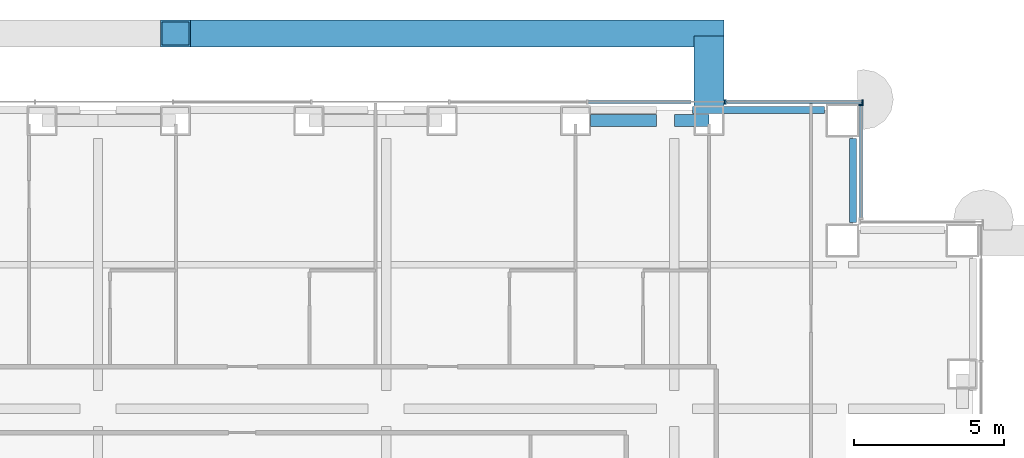
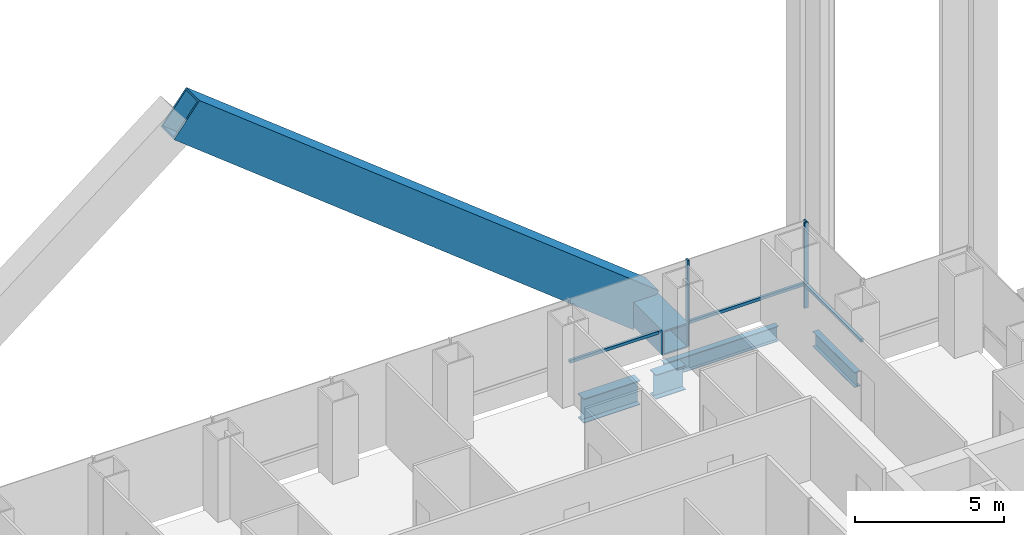
# One storey, part 12 of 28: 7 members, 5 beams, 2 elements without a shape of their own.
"""IFC4 building model written with IfcOpenShell, lengths in metres."""

from ifc_helpers import new_model, si_unit, direction, frame, origin, origin_2d, place, context, subcontext, project, spatial, rectangle, hollow_rectangle, i_section, extrude, material, material_profile, profile_set, type_object, element, aggregate, save


model = new_model("IFC4")

# Units and contexts
model_context = context("Model", 3, precision=1e-05, world=origin(), true_north=direction((0.0, 1.0)))
body_context = subcontext(model_context, "Body", "Model", "MODEL_VIEW")
ifc_project = project(units=[si_unit("LENGTHUNIT", "METRE"), si_unit("AREAUNIT", "SQUARE_METRE"), si_unit("VOLUMEUNIT", "CUBIC_METRE"), si_unit("PLANEANGLEUNIT", "RADIAN"), si_unit("MASSUNIT", "GRAM", prefix="KILO")], contexts=[model_context])

# Site, building, storey
site_placement = place(None, origin())
site = spatial("IfcSite", under=ifc_project, at=site_placement, CompositionType="ELEMENT")
building_placement = place(site_placement, origin())
building = spatial("IfcBuilding", under=site, at=building_placement, Name="Cobrizo Arcos Hotel Tower", CompositionType="ELEMENT")
storey_placement = place(building_placement, frame((0.0, 0.0, 39.0)))
storey = spatial("IfcBuildingStorey", under=building, at=storey_placement, Name="L07", CompositionType="ELEMENT", Elevation=39.0)

# Beam
ifc_material_1 = material(Name="Steel ASTM A572 Grade 50", Category="steel")
ifc_material_profile_1 = material_profile(ifc_material_1, hollow_rectangle(XDim=1.0, YDim=1.0, WallThickness=0.06005859375, at=origin_2d()), Name="BOX 1000X1000X60")
ifc_profile_set_1 = profile_set([ifc_material_profile_1], Name="Steel ASTM A572 Grade 50")
beam_type_1 = type_object("IfcBeamType", Name="BOX 1000X1000X60 brace connector strut", PredefinedType="BEAM", material=ifc_profile_set_1)
beam_1_placement = place(storey_placement, frame((15.5556640625, 24.489990234375, 0.5), z_axis=(0.0, 1.0, 0.0), x_axis=(-1.0, 0.0, 0.0)))
element("IfcBeam", 1, at=beam_1_placement, inside=storey, type_object=beam_type_1, Name="Perimeter brace stub BS1, zone Z1, north face, offset +15.56 m, L07", PredefinedType="BEAM", context=body_context, shape_type="SweptSolid", body=[
    extrude(hollow_rectangle(XDim=1.0, YDim=1.0, WallThickness=0.06005859375, at=origin_2d()), origin(), (0.0, 0.0, 1.0), 2.330078125),
])

# Member
ifc_material_profile_2 = material_profile(ifc_material_1, hollow_rectangle(XDim=0.89990234375, YDim=1.60009765625, WallThickness=0.070068359375, at=origin_2d()), Name="BOX 900X1600X70")
ifc_profile_set_2 = profile_set([ifc_material_profile_2], Name="Steel ASTM A572 Grade 50")
member_type_1 = type_object("IfcMemberType", Name="BOX 900X1600X70 perimeter brace", PredefinedType="BRACE", material=ifc_profile_set_2)
member_1_placement = place(storey_placement, frame((15.5556640625, 26.89990234375, 0.5), z_axis=(-0.785637232407, 0.0, 0.618687432437), x_axis=(0.0, -1.0, 0.0)))
element("IfcMember", 2, at=member_1_placement, inside=storey, type_object=member_type_1, Name="Perimeter brace PBR1, zone Z1, north face, no. 00", PredefinedType="BRACE", context=body_context, shape_type="SweptSolid", body=[
    extrude(hollow_rectangle(XDim=0.89990234375, YDim=1.60009765625, WallThickness=0.070068359375, at=origin_2d()), origin(), (0.0, 0.0, 1.0), 22.628662109375),
])

# Curtain wall, member
ifc_material_2 = material(Name="Aluminium 6063-T6 anodised bronze", Category="aluminium")
curtain_wall_type = type_object("IfcCurtainWallType", Name="CW-A guest facade", PredefinedType="NOTDEFINED", material=ifc_material_2)
curtain_wall_1_placement = place(storey_placement, origin())
curtain_wall_1 = element("IfcCurtainWall", 3, at=curtain_wall_1_placement, inside=storey, type_object=curtain_wall_type, Name="CW-A L07 E face", PredefinedType="NOTDEFINED")
ifc_material_profile_3 = material_profile(ifc_material_2, rectangle(XDim=0.14990234375, YDim=0.06005859375, at=origin_2d()), Name="CW-A mullion 150x60")
ifc_profile_set_3 = profile_set([ifc_material_profile_3], Name="Aluminium 6063-T6 anodised bronze")
member_type_2 = type_object("IfcMemberType", Name="CW-A mullion 150x60", PredefinedType="MULLION", material=ifc_profile_set_3)
member_2_placement = place(storey_placement, frame((20.625, 24.52001953125, 0.0), z_axis=(0.0, 0.0, 1.0), x_axis=(1.0, 0.0, 0.0)))
member_2 = element("IfcMember", 4, at=member_2_placement, type_object=member_type_2, Name="CW-A mullion 2", PredefinedType="MULLION", context=body_context, shape_type="SweptSolid", body=[
    extrude(rectangle(XDim=0.14990234375, YDim=0.06005859375, at=origin_2d()), origin(), (0.0, 0.0, 1.0), 3.5),
])

# Curtain wall, members
curtain_wall_2_placement = place(storey_placement, origin())
curtain_wall_2 = element("IfcCurtainWall", 5, at=curtain_wall_2_placement, inside=storey, type_object=curtain_wall_type, Name="CW-A L07 N face", PredefinedType="NOTDEFINED")
member_3_placement = place(storey_placement, frame((20.669921875, 24.625, 0.0), z_axis=(0.0, 0.0, 1.0), x_axis=(0.0, 1.0, 0.0)))
member_3 = element("IfcMember", 6, at=member_3_placement, type_object=member_type_2, Name="CW-A mullion 1", PredefinedType="MULLION", context=body_context, shape_type="SweptSolid", body=[
    extrude(rectangle(XDim=0.14990234375, YDim=0.06005859375, at=origin_2d()), origin(), (0.0, 0.0, 1.0), 3.5),
])
member_4_placement = place(storey_placement, frame((16.10009765625, 24.625, 0.0), z_axis=(0.0, 0.0, 1.0), x_axis=(0.0, 1.0, 0.0)))
member_4 = element("IfcMember", 7, at=member_4_placement, type_object=member_type_2, Name="CW-A mullion 2", PredefinedType="MULLION", context=body_context, shape_type="SweptSolid", body=[
    extrude(rectangle(XDim=0.14990234375, YDim=0.06005859375, at=origin_2d()), origin(), (0.0, 0.0, 1.0), 3.5),
])

# Member
ifc_material_profile_4 = material_profile(ifc_material_2, rectangle(XDim=0.10009765625, YDim=0.1201171875, at=origin_2d()), Name="CW-A transom 120x100")
ifc_profile_set_4 = profile_set([ifc_material_profile_4], Name="Aluminium 6063-T6 anodised bronze")
member_type_3 = type_object("IfcMemberType", Name="CW-A transom 120x100", PredefinedType="USERDEFINED", material=ifc_profile_set_4)
member_5_placement = place(storey_placement, frame((20.625, 20.760009765625, 0.929931640625), z_axis=(0.0, 1.0, 0.0), x_axis=(-1.0, 0.0, 0.0)))
member_5 = element("IfcMember", 8, at=member_5_placement, type_object=member_type_3, Name="CW-A transom 379", ObjectType="TRANSOM", PredefinedType="USERDEFINED", context=body_context, shape_type="SweptSolid", body=[
    extrude(rectangle(XDim=0.10009765625, YDim=0.1201171875, at=origin_2d()), origin(), (0.0, 0.0, 1.0), 3.72998046875),
])

aggregate(curtain_wall_1, [member_2, member_5])

member_6_placement = place(storey_placement, frame((20.639892578125, 24.625, 0.929931640625), z_axis=(-1.0, 0.0, 0.0), x_axis=(0.0, -1.0, 0.0)))
member_6 = element("IfcMember", 9, at=member_6_placement, type_object=member_type_3, Name="CW-A transom 380", ObjectType="TRANSOM", PredefinedType="USERDEFINED", context=body_context, shape_type="SweptSolid", body=[
    extrude(rectangle(XDim=0.10009765625, YDim=0.1201171875, at=origin_2d()), origin(), (0.0, 0.0, 1.0), 4.484375),
])

member_7_placement = place(storey_placement, frame((14.95556640625, 24.625, 0.929931640625), z_axis=(-1.0, 0.0, 0.0), x_axis=(0.0, -1.0, 0.0)))
member_7 = element("IfcMember", 10, at=member_7_placement, type_object=member_type_3, Name="CW-A transom 381", ObjectType="TRANSOM", PredefinedType="USERDEFINED", context=body_context, shape_type="SweptSolid", body=[
    extrude(rectangle(XDim=0.10009765625, YDim=0.1201171875, at=origin_2d()), origin(), (0.0, 0.0, 1.0), 3.425537109375),
])

aggregate(curtain_wall_2, [member_3, member_4, member_6, member_7])

# Beams
ifc_material_3 = material(Name="Steel ASTM A992 Grade 50", Category="steel")
ifc_material_profile_5 = material_profile(ifc_material_3, i_section(OverallWidth=0.23046875, OverallDepth=0.6171875, WebThickness=0.01318359375, FlangeThickness=0.022216796875, at=origin_2d()), Name="W24X94")
ifc_profile_set_5 = profile_set([ifc_material_profile_5], Name="Steel ASTM A992 Grade 50")
beam_type_2 = type_object("IfcBeamType", Name="W24X94 spandrel", PredefinedType="SPANDREL", material=ifc_profile_set_5)
beam_2_placement = place(storey_placement, frame((15.0, 24.35009765625, -0.45849609375), z_axis=(1.0, 0.0, 0.0), x_axis=(0.0, 1.0, 0.0)))
element("IfcBeam", 11, at=beam_2_placement, inside=storey, type_object=beam_type_2, Name="Spandrel beam W24X94, L07, no. 010", PredefinedType="SPANDREL", context=body_context, shape_type="SweptSolid", body=[
    extrude(i_section(OverallWidth=0.23046875, OverallDepth=0.6171875, WebThickness=0.01318359375, FlangeThickness=0.022216796875, at=origin_2d()), origin(), (0.0, 0.0, 1.0), 4.39990234375),
])
beam_3_placement = place(storey_placement, frame((20.35009765625, 23.39990234375, -0.45849609375), z_axis=(0.0, -1.0, 0.0), x_axis=(1.0, 0.0, 0.0)))
element("IfcBeam", 12, at=beam_3_placement, inside=storey, type_object=beam_type_2, Name="Spandrel beam W24X94, L07, no. 011", PredefinedType="SPANDREL", context=body_context, shape_type="SweptSolid", body=[
    extrude(i_section(OverallWidth=0.23046875, OverallDepth=0.6171875, WebThickness=0.01318359375, FlangeThickness=0.022216796875, at=origin_2d()), origin(), (0.0, 0.0, 1.0), 2.7998046875),
])
ifc_material_profile_6 = material_profile(ifc_material_3, i_section(OverallWidth=0.4013671875, OverallDepth=0.990478515625, WebThickness=0.0166015625, FlangeThickness=0.025390625, at=origin_2d()), Name="W40X215")
ifc_profile_set_6 = profile_set([ifc_material_profile_6], Name="Steel ASTM A992 Grade 50")
beam_type_3 = type_object("IfcBeamType", Name="W40X215 transfer girder", PredefinedType="BEAM", material=ifc_profile_set_6)
beam_4_placement = place(storey_placement, frame((13.800048828125, 24.0, -0.645263671875), z_axis=(-1.0, 0.0, 0.0), x_axis=(0.0, -1.0, 0.0)))
element("IfcBeam", 13, at=beam_4_placement, inside=storey, type_object=beam_type_3, Name="Setback transfer girder TG1, L07, no. 013", PredefinedType="BEAM", context=body_context, shape_type="SweptSolid", body=[
    extrude(i_section(OverallWidth=0.4013671875, OverallDepth=0.990478515625, WebThickness=0.0166015625, FlangeThickness=0.025390625, at=origin_2d()), origin(), (0.0, 0.0, 1.0), 2.18896484375),
])
beam_5_placement = place(storey_placement, frame((14.39990234375, 24.0, -0.645263671875), z_axis=(1.0, 0.0, 0.0), x_axis=(0.0, 1.0, 0.0)))
element("IfcBeam", 14, at=beam_5_placement, inside=storey, type_object=beam_type_3, Name="Setback transfer girder TG1, L07, no. 015", PredefinedType="BEAM", context=body_context, shape_type="SweptSolid", body=[
    extrude(i_section(OverallWidth=0.4013671875, OverallDepth=0.990478515625, WebThickness=0.0166015625, FlangeThickness=0.025390625, at=origin_2d()), origin(), (0.0, 0.0, 1.0), 1.156005859375),
])

save(model, "model.ifc")
